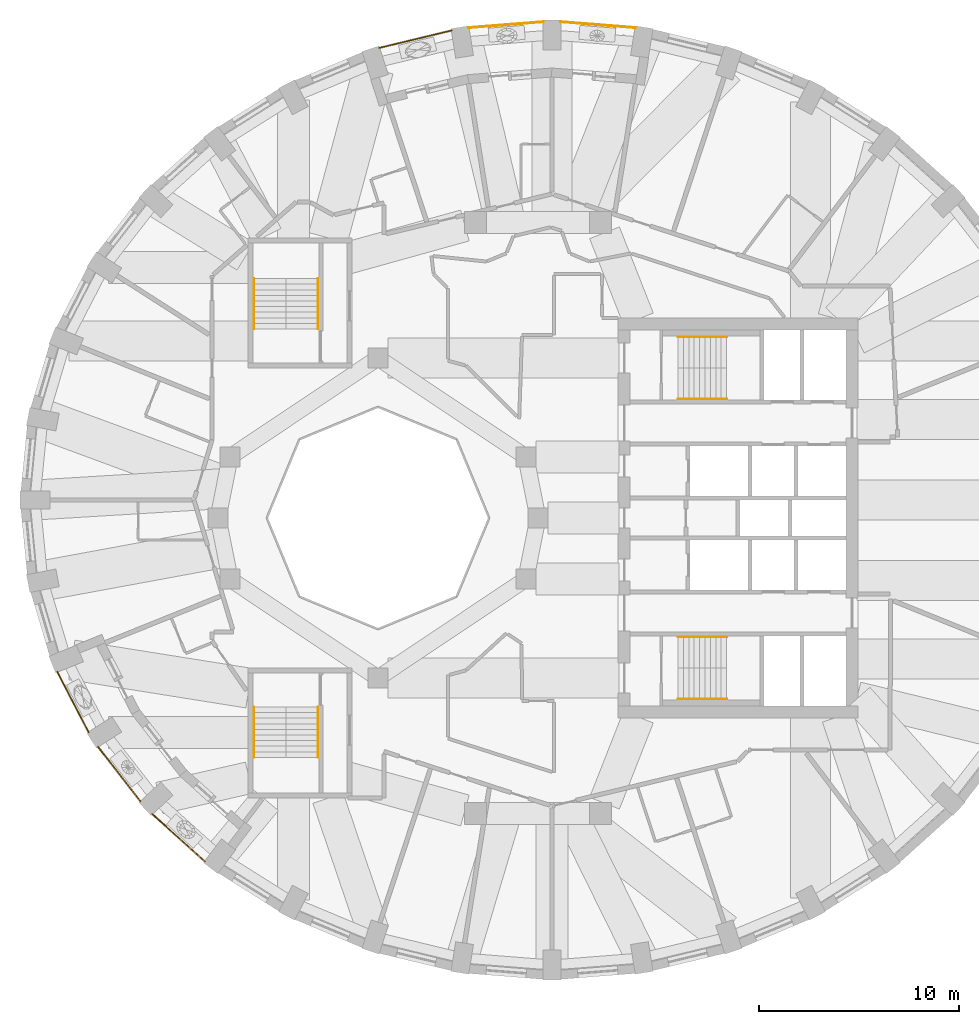
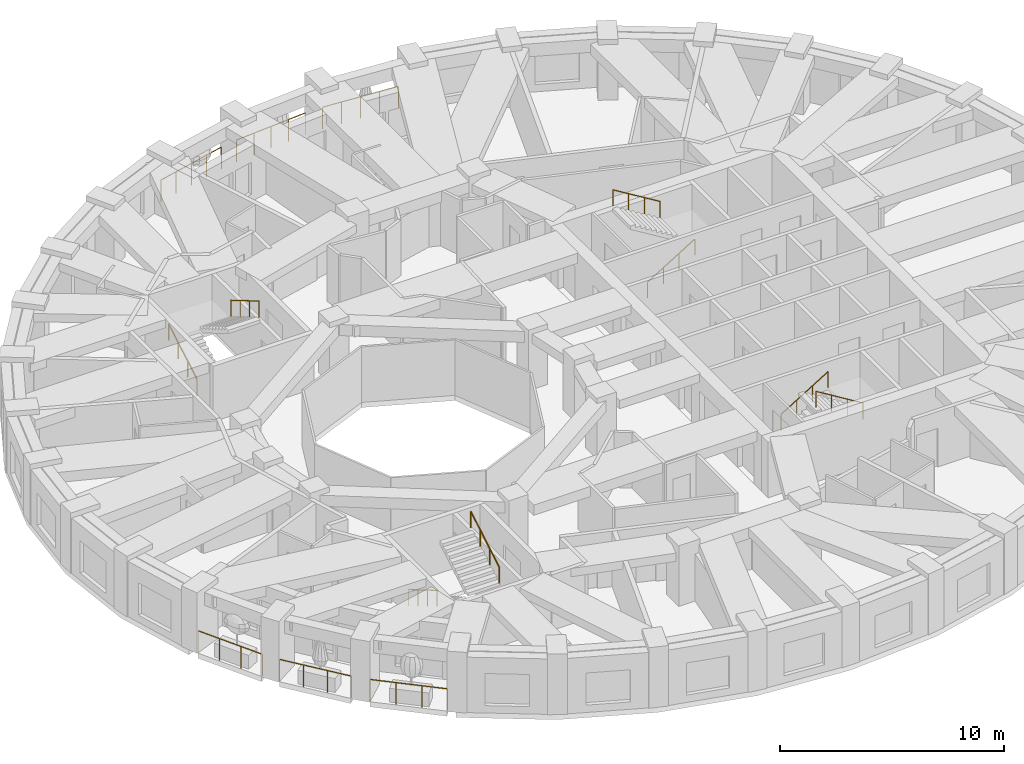
# One storey, part 10 of 12: 14 railings.
"""IFC4 building model written with IfcOpenShell, lengths in metres."""

from ifc_helpers import new_model, si_unit, direction, frame, origin, origin_2d, place, context, subcontext, project, spatial, circle, extrude, material, type_object, element, save


model = new_model("IFC4")

# Units and contexts
model_context = context("Model", 3, precision=1e-05, world=origin(), true_north=direction((0.0, 1.0)))
body_context = subcontext(model_context, "Body", "Model", "MODEL_VIEW")
ifc_project = project(units=[si_unit("LENGTHUNIT", "METRE"), si_unit("AREAUNIT", "SQUARE_METRE"), si_unit("VOLUMEUNIT", "CUBIC_METRE"), si_unit("PLANEANGLEUNIT", "RADIAN"), si_unit("MASSUNIT", "GRAM", prefix="KILO")], contexts=[model_context])

# Site, building, storey
site_placement = place(None, origin())
site = spatial("IfcSite", under=ifc_project, at=site_placement, CompositionType="ELEMENT")
building_placement = place(site_placement, origin())
building = spatial("IfcBuilding", under=site, at=building_placement, Name="Taillehof Tower", CompositionType="ELEMENT")
storey_placement = place(building_placement, frame((0.0, 0.0, 218.89990234375)))
storey = spatial("IfcBuildingStorey", under=building, at=storey_placement, Name="L62", CompositionType="ELEMENT", Elevation=218.89990234375)

# Railings
ifc_material_1 = material(Name="Stainless steel balustrade", Category="steel")
railing_type_1 = type_object("IfcRailingType", Name="Balcony guard 1200", PredefinedType="GUARDRAIL", material=ifc_material_1)
railing_1_placement = place(storey_placement, frame((4.8671875, 24.511962890625, 0.0)))
element("IfcRailing", 1, at=railing_1_placement, inside=storey, type_object=railing_type_1, Name="Balcony guard L62 bay 9", PredefinedType="GUARDRAIL", context=body_context, shape_type="SweptSolid", body=[
    extrude(circle(Radius=0.02392578125, at=origin_2d()), frame((0.0, 0.0, 1.17578125), z_axis=(-0.996920832567, 0.078414626146, 0.0), x_axis=(-0.078414626146, -0.996920832567, 0.0)), (0.0, 0.0, 1.0), 3.74853515625),
    extrude(circle(Radius=0.02099609375, at=origin_2d()), origin(), (0.0, 0.0, 1.0), 1.15185546875),
    extrude(circle(Radius=0.02099609375, at=origin_2d()), frame((-0.934326171875, 0.073486328125, 0.0)), (0.0, 0.0, 1.0), 1.15185546875),
    extrude(circle(Radius=0.02099609375, at=origin_2d()), frame((-1.86865234375, 0.14697265625, 0.0)), (0.0, 0.0, 1.0), 1.15185546875),
    extrude(circle(Radius=0.02099609375, at=origin_2d()), frame((-2.802734375, 0.220458984375, 0.0)), (0.0, 0.0, 1.0), 1.15185546875),
    extrude(circle(Radius=0.02099609375, at=origin_2d()), frame((-3.737060546875, 0.2939453125, 0.0)), (0.0, 0.0, 1.0), 1.15185546875),
])
railing_2_placement = place(storey_placement, frame((0.27001953125, 24.805908203125, 0.0)))
element("IfcRailing", 2, at=railing_2_placement, inside=storey, type_object=railing_type_1, Name="Balcony guard L62 bay 10", PredefinedType="GUARDRAIL", context=body_context, shape_type="SweptSolid", body=[
    extrude(circle(Radius=0.02392578125, at=origin_2d()), frame((0.0, 0.0, 1.17578125), z_axis=(-0.996920832567, -0.078414626146, 0.0), x_axis=(0.078414626146, -0.996920832567, 0.0)), (0.0, 0.0, 1.0), 3.74853515625),
    extrude(circle(Radius=0.02099609375, at=origin_2d()), origin(), (0.0, 0.0, 1.0), 1.15185546875),
    extrude(circle(Radius=0.02099609375, at=origin_2d()), frame((-0.934326171875, -0.073486328125, 0.0)), (0.0, 0.0, 1.0), 1.15185546875),
    extrude(circle(Radius=0.02099609375, at=origin_2d()), frame((-1.86865234375, -0.14697265625, 0.0)), (0.0, 0.0, 1.0), 1.15185546875),
    extrude(circle(Radius=0.02099609375, at=origin_2d()), frame((-2.802734375, -0.220458984375, 0.0)), (0.0, 0.0, 1.0), 1.15185546875),
    extrude(circle(Radius=0.02099609375, at=origin_2d()), frame((-3.737060546875, -0.2939453125, 0.0)), (0.0, 0.0, 1.0), 1.15185546875),
])
railing_3_placement = place(storey_placement, frame((-4.316650390625, 24.376953125, 0.0)))
element("IfcRailing", 3, at=railing_3_placement, inside=storey, type_object=railing_type_1, Name="Balcony guard L62 bay 11", PredefinedType="GUARDRAIL", context=body_context, shape_type="SweptSolid", body=[
    extrude(circle(Radius=0.02392578125, at=origin_2d()), frame((0.0, 0.0, 1.17578125), z_axis=(-0.972163104093, -0.234305140875, 0.0), x_axis=(0.234305140875, -0.972163104093, 0.0)), (0.0, 0.0, 1.0), 3.72412109375),
    extrude(circle(Radius=0.02099609375, at=origin_2d()), origin(), (0.0, 0.0, 1.0), 1.15185546875),
    extrude(circle(Radius=0.02099609375, at=origin_2d()), frame((-0.905029296875, -0.21826171875, 0.0)), (0.0, 0.0, 1.0), 1.15185546875),
    extrude(circle(Radius=0.02099609375, at=origin_2d()), frame((-1.81005859375, -0.436279296875, 0.0)), (0.0, 0.0, 1.0), 1.15185546875),
    extrude(circle(Radius=0.02099609375, at=origin_2d()), frame((-2.71533203125, -0.654296875, 0.0)), (0.0, 0.0, 1.0), 1.15185546875),
    extrude(circle(Radius=0.02099609375, at=origin_2d()), frame((-3.620361328125, -0.87255859375, 0.0)), (0.0, 0.0, 1.0), 1.15185546875),
])
railing_4_placement = place(storey_placement, frame((-24.031982421875, -7.693603515625, 0.0)))
element("IfcRailing", 4, at=railing_4_placement, inside=storey, type_object=railing_type_1, Name="Balcony guard L62 bay 21", PredefinedType="GUARDRAIL", context=body_context, shape_type="SweptSolid", body=[
    extrude(circle(Radius=0.02392578125, at=origin_2d()), frame((0.0, 0.0, 1.17578125), z_axis=(0.460229168419, -0.88780015349, 0.0), x_axis=(0.88780015349, 0.460229168419, 0.0)), (0.0, 0.0, 1.0), 3.4013671875),
    extrude(circle(Radius=0.02099609375, at=origin_2d()), origin(), (0.0, 0.0, 1.0), 1.15185546875),
    extrude(circle(Radius=0.02099609375, at=origin_2d()), frame((0.521728515625, -1.006591796875, 0.0)), (0.0, 0.0, 1.0), 1.15185546875),
    extrude(circle(Radius=0.02099609375, at=origin_2d()), frame((1.043701171875, -2.01318359375, 0.0)), (0.0, 0.0, 1.0), 1.15185546875),
    extrude(circle(Radius=0.02099609375, at=origin_2d()), frame((1.5654296875, -3.019775390625, 0.0)), (0.0, 0.0, 1.0), 1.15185546875),
])
railing_5_placement = place(storey_placement, frame((-22.00244140625, -11.4375, 0.0)))
element("IfcRailing", 5, at=railing_5_placement, inside=storey, type_object=railing_type_1, Name="Balcony guard L62 bay 22", PredefinedType="GUARDRAIL", context=body_context, shape_type="SweptSolid", body=[
    extrude(circle(Radius=0.02392578125, at=origin_2d()), frame((0.0, 0.0, 1.17578125), z_axis=(0.614233032347, -0.789124693552, 0.0), x_axis=(0.789124693552, 0.614233032347, 0.0)), (0.0, 0.0, 1.0), 3.467529296875),
    extrude(circle(Radius=0.02099609375, at=origin_2d()), origin(), (0.0, 0.0, 1.0), 1.15185546875),
    extrude(circle(Radius=0.02099609375, at=origin_2d()), frame((0.7099609375, -0.912109375, 0.0)), (0.0, 0.0, 1.0), 1.15185546875),
    extrude(circle(Radius=0.02099609375, at=origin_2d()), frame((1.419921875, -1.82421875, 0.0)), (0.0, 0.0, 1.0), 1.15185546875),
    extrude(circle(Radius=0.02099609375, at=origin_2d()), frame((2.1298828125, -2.736328125, 0.0)), (0.0, 0.0, 1.0), 1.15185546875),
])
railing_6_placement = place(storey_placement, frame((-19.286376953125, -14.80322265625, 0.0)))
element("IfcRailing", 6, at=railing_6_placement, inside=storey, type_object=railing_type_1, Name="Balcony guard L62 bay 23", PredefinedType="GUARDRAIL", context=body_context, shape_type="SweptSolid", body=[
    extrude(circle(Radius=0.02392578125, at=origin_2d()), frame((0.0, 0.0, 1.17578125), z_axis=(0.743448370075, -0.668793332079, 0.0), x_axis=(0.668793332079, 0.743448370075, 0.0)), (0.0, 0.0, 1.0), 3.541748046875),
    extrude(circle(Radius=0.02099609375, at=origin_2d()), origin(), (0.0, 0.0, 1.0), 1.15185546875),
    extrude(circle(Radius=0.02099609375, at=origin_2d()), frame((0.877685546875, -0.78955078125, 0.0)), (0.0, 0.0, 1.0), 1.15185546875),
    extrude(circle(Radius=0.02099609375, at=origin_2d()), frame((1.75537109375, -1.5791015625, 0.0)), (0.0, 0.0, 1.0), 1.15185546875),
    extrude(circle(Radius=0.02099609375, at=origin_2d()), frame((2.633056640625, -2.36865234375, 0.0)), (0.0, 0.0, 1.0), 1.15185546875),
])
ifc_material_2 = material(Name="Stainless steel", Category="steel")
railing_type_2 = type_object("IfcRailingType", Name="Stair handrail 900", PredefinedType="HANDRAIL", material=ifc_material_2)
railing_7_placement = place(storey_placement, frame((7.0, 5.949951171875, 0.1650390625)))
element("IfcRailing", 7, at=railing_7_placement, inside=storey, type_object=railing_type_2, Name="Stair S1 handrail", PredefinedType="HANDRAIL", context=body_context, shape_type="SweptSolid", body=[
    extrude(circle(Radius=0.02392578125, at=origin_2d()), frame((0.0, 0.0, 0.8759765625), z_axis=(0.853258522278, 0.0, 0.521488153423), x_axis=(0.0, 1.0, 0.0)), (0.0, 0.0, 1.0), 2.847900390625),
    extrude(circle(Radius=0.02099609375, at=origin_2d()), origin(), (0.0, 0.0, 1.0), 0.851806640625),
    extrude(circle(Radius=0.02099609375, at=origin_2d()), frame((0.81005859375, 0.0, 0.4951171875)), (0.0, 0.0, 1.0), 0.851806640625),
    extrude(circle(Radius=0.02099609375, at=origin_2d()), frame((1.619873046875, 0.0, 0.989990234375)), (0.0, 0.0, 1.0), 0.851806640625),
    extrude(circle(Radius=0.02099609375, at=origin_2d()), frame((2.429931640625, 0.0, 1.485107421875)), (0.0, 0.0, 1.0), 0.851806640625),
])
railing_8_placement = place(storey_placement, frame((9.429931640625, 9.050048828125, 1.815185546875)))
element("IfcRailing", 8, at=railing_8_placement, inside=storey, type_object=railing_type_2, Name="Stair S1 handrail", PredefinedType="HANDRAIL", context=body_context, shape_type="SweptSolid", body=[
    extrude(circle(Radius=0.02392578125, at=origin_2d()), frame((0.0, 0.0, 0.8759765625), z_axis=(-0.853296667938, 0.0, 0.521425734392), x_axis=(0.0, -1.0, 0.0)), (0.0, 0.0, 1.0), 2.84765625),
    extrude(circle(Radius=0.02099609375, at=origin_2d()), origin(), (0.0, 0.0, 1.0), 0.851806640625),
    extrude(circle(Radius=0.02099609375, at=origin_2d()), frame((-0.81005859375, 0.0, 0.494873046875)), (0.0, 0.0, 1.0), 0.851806640625),
    extrude(circle(Radius=0.02099609375, at=origin_2d()), frame((-1.619873046875, 0.0, 0.989990234375)), (0.0, 0.0, 1.0), 0.851806640625),
    extrude(circle(Radius=0.02099609375, at=origin_2d()), frame((-2.429931640625, 0.0, 1.48486328125)), (0.0, 0.0, 1.0), 0.851806640625),
])
railing_9_placement = place(storey_placement, frame((7.0, -5.949951171875, 0.1650390625)))
element("IfcRailing", 9, at=railing_9_placement, inside=storey, type_object=railing_type_2, Name="Stair S2 handrail", PredefinedType="HANDRAIL", context=body_context, shape_type="SweptSolid", body=[
    extrude(circle(Radius=0.02392578125, at=origin_2d()), frame((0.0, 0.0, 0.8759765625), z_axis=(0.853258522278, 0.0, 0.521488153423), x_axis=(0.0, 1.0, 0.0)), (0.0, 0.0, 1.0), 2.847900390625),
    extrude(circle(Radius=0.02099609375, at=origin_2d()), origin(), (0.0, 0.0, 1.0), 0.851806640625),
    extrude(circle(Radius=0.02099609375, at=origin_2d()), frame((0.81005859375, 0.0, 0.4951171875)), (0.0, 0.0, 1.0), 0.851806640625),
    extrude(circle(Radius=0.02099609375, at=origin_2d()), frame((1.619873046875, 0.0, 0.989990234375)), (0.0, 0.0, 1.0), 0.851806640625),
    extrude(circle(Radius=0.02099609375, at=origin_2d()), frame((2.429931640625, 0.0, 1.485107421875)), (0.0, 0.0, 1.0), 0.851806640625),
])
railing_10_placement = place(storey_placement, frame((9.429931640625, -9.050048828125, 1.815185546875)))
element("IfcRailing", 10, at=railing_10_placement, inside=storey, type_object=railing_type_2, Name="Stair S2 handrail", PredefinedType="HANDRAIL", context=body_context, shape_type="SweptSolid", body=[
    extrude(circle(Radius=0.02392578125, at=origin_2d()), frame((0.0, 0.0, 0.8759765625), z_axis=(-0.853296667938, 0.0, 0.521425734392), x_axis=(0.0, -1.0, 0.0)), (0.0, 0.0, 1.0), 2.84765625),
    extrude(circle(Radius=0.02099609375, at=origin_2d()), origin(), (0.0, 0.0, 1.0), 0.851806640625),
    extrude(circle(Radius=0.02099609375, at=origin_2d()), frame((-0.81005859375, 0.0, 0.494873046875)), (0.0, 0.0, 1.0), 0.851806640625),
    extrude(circle(Radius=0.02099609375, at=origin_2d()), frame((-1.619873046875, 0.0, 0.989990234375)), (0.0, 0.0, 1.0), 0.851806640625),
    extrude(circle(Radius=0.02099609375, at=origin_2d()), frame((-2.429931640625, 0.0, 1.48486328125)), (0.0, 0.0, 1.0), 0.851806640625),
])
railing_11_placement = place(storey_placement, frame((-14.199951171875, 9.449951171875, 0.1650390625)))
element("IfcRailing", 11, at=railing_11_placement, inside=storey, type_object=railing_type_2, Name="Stair S3 handrail", PredefinedType="HANDRAIL", context=body_context, shape_type="SweptSolid", body=[
    extrude(circle(Radius=0.02392578125, at=origin_2d()), frame((0.0, 0.0, 0.8759765625), z_axis=(0.0, 0.86152411907, 0.507716645641), x_axis=(-1.0, 0.0, 0.0)), (0.0, 0.0, 1.0), 2.925048828125),
    extrude(circle(Radius=0.02099609375, at=origin_2d()), origin(), (0.0, 0.0, 1.0), 0.851806640625),
    extrude(circle(Radius=0.02099609375, at=origin_2d()), frame((0.0, 0.840087890625, 0.4951171875)), (0.0, 0.0, 1.0), 0.851806640625),
    extrude(circle(Radius=0.02099609375, at=origin_2d()), frame((0.0, 1.679931640625, 0.989990234375)), (0.0, 0.0, 1.0), 0.851806640625),
    extrude(circle(Radius=0.02099609375, at=origin_2d()), frame((0.0, 2.52001953125, 1.485107421875)), (0.0, 0.0, 1.0), 0.851806640625),
])
railing_12_placement = place(storey_placement, frame((-11.0, 11.969970703125, 1.815185546875)))
element("IfcRailing", 12, at=railing_12_placement, inside=storey, type_object=railing_type_2, Name="Stair S3 handrail", PredefinedType="HANDRAIL", context=body_context, shape_type="SweptSolid", body=[
    extrude(circle(Radius=0.02392578125, at=origin_2d()), frame((0.0, 0.0, 0.8759765625), z_axis=(0.0, -0.861560626758, 0.507654692109), x_axis=(1.0, 0.0, 0.0)), (0.0, 0.0, 1.0), 2.925048828125),
    extrude(circle(Radius=0.02099609375, at=origin_2d()), origin(), (0.0, 0.0, 1.0), 0.851806640625),
    extrude(circle(Radius=0.02099609375, at=origin_2d()), frame((0.0, -0.840087890625, 0.494873046875)), (0.0, 0.0, 1.0), 0.851806640625),
    extrude(circle(Radius=0.02099609375, at=origin_2d()), frame((0.0, -1.679931640625, 0.989990234375)), (0.0, 0.0, 1.0), 0.851806640625),
    extrude(circle(Radius=0.02099609375, at=origin_2d()), frame((0.0, -2.52001953125, 1.48486328125)), (0.0, 0.0, 1.0), 0.851806640625),
])
railing_13_placement = place(storey_placement, frame((-14.199951171875, -9.449951171875, 0.1650390625)))
element("IfcRailing", 13, at=railing_13_placement, inside=storey, type_object=railing_type_2, Name="Stair S4 handrail", PredefinedType="HANDRAIL", context=body_context, shape_type="SweptSolid", body=[
    extrude(circle(Radius=0.02392578125, at=origin_2d()), frame((0.0, 0.0, 0.8759765625), z_axis=(0.0, -0.86152411907, 0.507716645641), x_axis=(1.0, 0.0, 0.0)), (0.0, 0.0, 1.0), 2.925048828125),
    extrude(circle(Radius=0.02099609375, at=origin_2d()), origin(), (0.0, 0.0, 1.0), 0.851806640625),
    extrude(circle(Radius=0.02099609375, at=origin_2d()), frame((0.0, -0.840087890625, 0.4951171875)), (0.0, 0.0, 1.0), 0.851806640625),
    extrude(circle(Radius=0.02099609375, at=origin_2d()), frame((0.0, -1.679931640625, 0.989990234375)), (0.0, 0.0, 1.0), 0.851806640625),
    extrude(circle(Radius=0.02099609375, at=origin_2d()), frame((0.0, -2.52001953125, 1.485107421875)), (0.0, 0.0, 1.0), 0.851806640625),
])
railing_14_placement = place(storey_placement, frame((-11.0, -11.969970703125, 1.815185546875)))
element("IfcRailing", 14, at=railing_14_placement, inside=storey, type_object=railing_type_2, Name="Stair S4 handrail", PredefinedType="HANDRAIL", context=body_context, shape_type="SweptSolid", body=[
    extrude(circle(Radius=0.02392578125, at=origin_2d()), frame((0.0, 0.0, 0.8759765625), z_axis=(0.0, 0.861560626758, 0.507654692109), x_axis=(-1.0, 0.0, 0.0)), (0.0, 0.0, 1.0), 2.925048828125),
    extrude(circle(Radius=0.02099609375, at=origin_2d()), origin(), (0.0, 0.0, 1.0), 0.851806640625),
    extrude(circle(Radius=0.02099609375, at=origin_2d()), frame((0.0, 0.840087890625, 0.494873046875)), (0.0, 0.0, 1.0), 0.851806640625),
    extrude(circle(Radius=0.02099609375, at=origin_2d()), frame((0.0, 1.679931640625, 0.989990234375)), (0.0, 0.0, 1.0), 0.851806640625),
    extrude(circle(Radius=0.02099609375, at=origin_2d()), frame((0.0, 2.52001953125, 1.48486328125)), (0.0, 0.0, 1.0), 0.851806640625),
])

save(model, "model.ifc")
